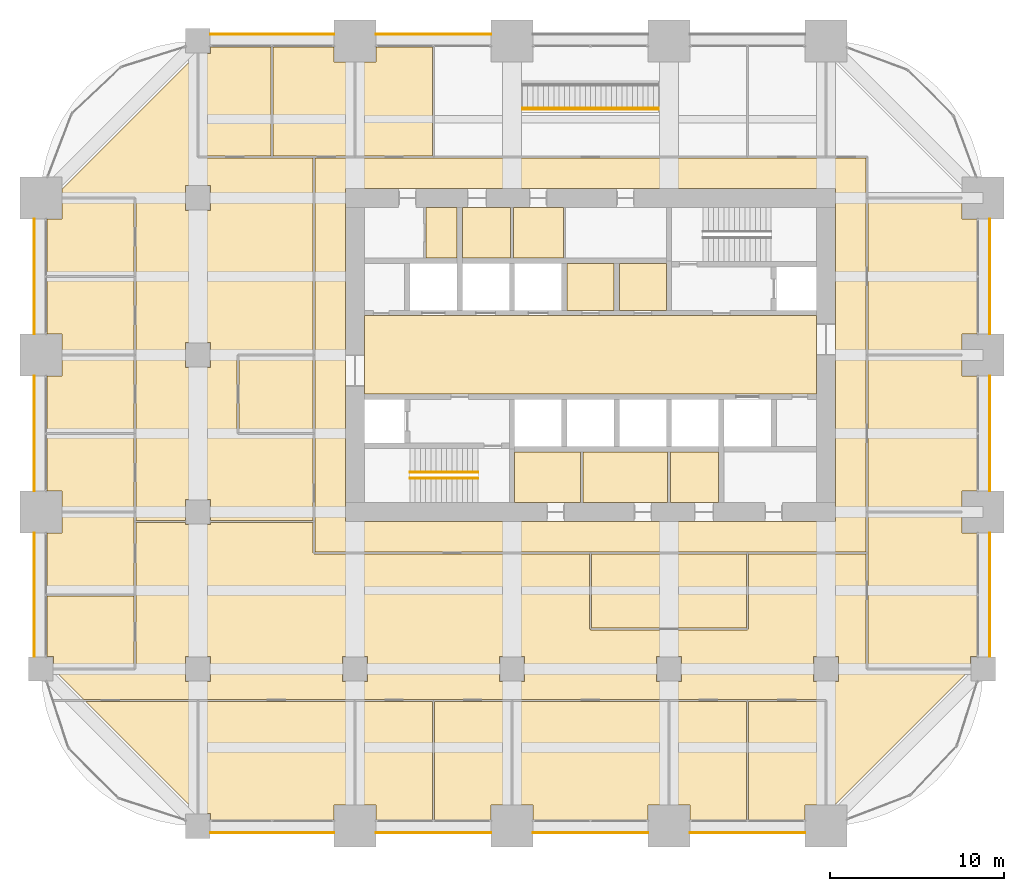
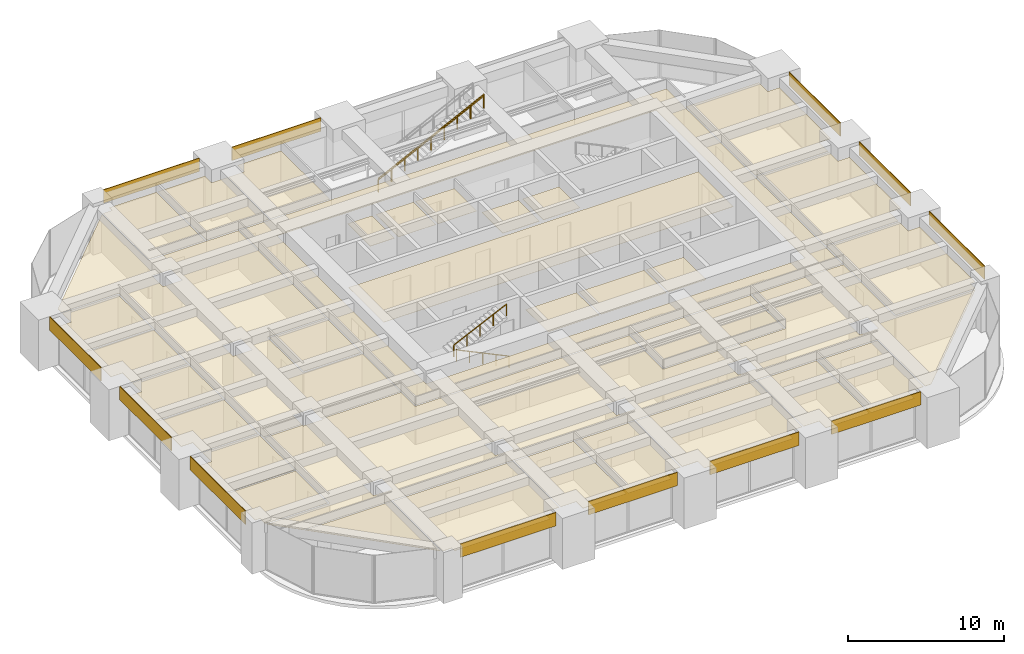
# One storey, part 33 of 34: 45 coverings, 4 railings.
"""IFC4 building model written with IfcOpenShell, lengths in metres."""

from ifc_helpers import new_model, si_unit, direction, frame, frame_2d, origin, origin_2d, place, context, subcontext, project, spatial, polyline, rectangle, circle, outline, extrude, material, layer, layer_set, type_object, element, save


model = new_model("IFC4")

# Units and contexts
model_context = context("Model", 3, precision=1e-05, world=origin(), true_north=direction((0.0, 1.0)))
body_context = subcontext(model_context, "Body", "Model", "MODEL_VIEW")
ifc_project = project(units=[si_unit("LENGTHUNIT", "METRE"), si_unit("AREAUNIT", "SQUARE_METRE"), si_unit("VOLUMEUNIT", "CUBIC_METRE"), si_unit("PLANEANGLEUNIT", "RADIAN"), si_unit("MASSUNIT", "GRAM", prefix="KILO")], contexts=[model_context])

# Site, building, storey
site_placement = place(None, origin())
site = spatial("IfcSite", under=ifc_project, at=site_placement, CompositionType="ELEMENT")
building_placement = place(site_placement, origin())
building = spatial("IfcBuilding", under=site, at=building_placement, Name="Zorevar Civic Tower", CompositionType="ELEMENT")
storey_placement = place(building_placement, frame((0.0, 0.0, 214.199951171875)))
storey = spatial("IfcBuildingStorey", under=building, at=storey_placement, Name="L52", CompositionType="ELEMENT", Elevation=214.199951171875)

# Railings
ifc_material_1 = material(Name="Laminated glass balustrade with black steel handrail", Category="steel")
railing_type_1 = type_object("IfcRailingType", Name="Balustrade BL1 1100", PredefinedType="BALUSTRADE", material=ifc_material_1)
railing_1_placement = place(storey_placement, frame((27.60009765625, 41.080078125, 0.148193359375)))
element("IfcRailing", 1, at=railing_1_placement, inside=storey, type_object=railing_type_1, Name="Balustrade BL1 interconnecting stair L52", PredefinedType="BALUSTRADE", context=body_context, shape_type="SweptSolid", body=[
    extrude(circle(Radius=0.02392578125, at=origin_2d()), frame((0.0, 0.0, 1.076171875), z_axis=(0.896627794226, 0.0, 0.442785047875), x_axis=(0.0, 1.0, 0.0)), (0.0, 0.0, 1.0), 8.698974609375),
    extrude(circle(Radius=0.02099609375, at=origin_2d()), origin(), (0.0, 0.0, 1.0), 1.052001953125),
    extrude(circle(Radius=0.02099609375, at=origin_2d()), frame((0.97509765625, 0.0, 0.4814453125)), (0.0, 0.0, 1.0), 1.052001953125),
    extrude(circle(Radius=0.02099609375, at=origin_2d()), frame((1.949951171875, 0.0, 0.962890625)), (0.0, 0.0, 1.0), 1.052001953125),
    extrude(circle(Radius=0.02099609375, at=origin_2d()), frame((2.9248046875, 0.0, 1.4443359375)), (0.0, 0.0, 1.0), 1.052001953125),
    extrude(circle(Radius=0.02099609375, at=origin_2d()), frame((3.89990234375, 0.0, 1.92578125)), (0.0, 0.0, 1.0), 1.052001953125),
    extrude(circle(Radius=0.02099609375, at=origin_2d()), frame((4.875, 0.0, 2.407470703125)), (0.0, 0.0, 1.0), 1.052001953125),
    extrude(circle(Radius=0.02099609375, at=origin_2d()), frame((5.849853515625, 0.0, 2.888916015625)), (0.0, 0.0, 1.0), 1.052001953125),
    extrude(circle(Radius=0.02099609375, at=origin_2d()), frame((6.82470703125, 0.0, 3.370361328125)), (0.0, 0.0, 1.0), 1.052001953125),
    extrude(circle(Radius=0.02099609375, at=origin_2d()), frame((7.7998046875, 0.0, 3.851806640625)), (0.0, 0.0, 1.0), 1.052001953125),
])
ifc_material_2 = material(Name="Black steel handrail", Category="steel")
railing_type_2 = type_object("IfcRailingType", Name="Handrail HR1 900", PredefinedType="HANDRAIL", material=ifc_material_2)
railing_2_placement = place(storey_placement, frame((25.050048828125, 19.925048828125, 0.142822265625)))
element("IfcRailing", 2, at=railing_2_placement, inside=storey, type_object=railing_type_2, Name="Handrail HR1 ST1 L52", PredefinedType="HANDRAIL", context=body_context, shape_type="SweptSolid", body=[
    extrude(circle(Radius=0.02392578125, at=origin_2d()), frame((0.0, 0.0, 0.8759765625), z_axis=(-0.902863652845, 0.0, 0.429926998885), x_axis=(0.0, -1.0, 0.0)), (0.0, 0.0, 1.0), 4.31982421875),
    extrude(circle(Radius=0.02099609375, at=origin_2d()), origin(), (0.0, 0.0, 1.0), 0.851806640625),
    extrude(circle(Radius=0.02099609375, at=origin_2d()), frame((-0.97509765625, 0.0, 0.46435546875)), (0.0, 0.0, 1.0), 0.851806640625),
    extrude(circle(Radius=0.02099609375, at=origin_2d()), frame((-1.9501953125, 0.0, 0.9287109375)), (0.0, 0.0, 1.0), 0.851806640625),
    extrude(circle(Radius=0.02099609375, at=origin_2d()), frame((-2.925048828125, 0.0, 1.392822265625)), (0.0, 0.0, 1.0), 0.851806640625),
    extrude(circle(Radius=0.02099609375, at=origin_2d()), frame((-3.900146484375, 0.0, 1.857177734375)), (0.0, 0.0, 1.0), 0.851806640625),
])
railing_3_placement = place(storey_placement, frame((21.14990234375, 20.27490234375, 2.142822265625)))
element("IfcRailing", 3, at=railing_3_placement, inside=storey, type_object=railing_type_2, Name="Handrail HR1 ST1 L52", PredefinedType="HANDRAIL", context=body_context, shape_type="SweptSolid", body=[
    extrude(circle(Radius=0.02392578125, at=origin_2d()), frame((0.0, 0.0, 0.8759765625), z_axis=(0.902863652845, 0.0, 0.429926998885), x_axis=(0.0, 1.0, 0.0)), (0.0, 0.0, 1.0), 4.31982421875),
    extrude(circle(Radius=0.02099609375, at=origin_2d()), origin(), (0.0, 0.0, 1.0), 0.851806640625),
    extrude(circle(Radius=0.02099609375, at=origin_2d()), frame((0.97509765625, 0.0, 0.46435546875)), (0.0, 0.0, 1.0), 0.851806640625),
    extrude(circle(Radius=0.02099609375, at=origin_2d()), frame((1.9501953125, 0.0, 0.9287109375)), (0.0, 0.0, 1.0), 0.851806640625),
    extrude(circle(Radius=0.02099609375, at=origin_2d()), frame((2.925048828125, 0.0, 1.392822265625)), (0.0, 0.0, 1.0), 0.851806640625),
    extrude(circle(Radius=0.02099609375, at=origin_2d()), frame((3.900146484375, 0.0, 1.857177734375)), (0.0, 0.0, 1.0), 0.851806640625),
])
railing_4_placement = place(storey_placement, frame((27.60009765625, 41.14990234375, 0.148193359375)))
element("IfcRailing", 4, at=railing_4_placement, inside=storey, type_object=railing_type_2, Name="Handrail HR1 interconnecting stair L52", PredefinedType="HANDRAIL", context=body_context, shape_type="SweptSolid", body=[
    extrude(circle(Radius=0.02392578125, at=origin_2d()), frame((0.0, 0.0, 0.8759765625), z_axis=(0.896627794226, 0.0, 0.442785047875), x_axis=(0.0, 1.0, 0.0)), (0.0, 0.0, 1.0), 8.698974609375),
    extrude(circle(Radius=0.02099609375, at=origin_2d()), origin(), (0.0, 0.0, 1.0), 0.851806640625),
    extrude(circle(Radius=0.02099609375, at=origin_2d()), frame((0.97509765625, 0.0, 0.4814453125)), (0.0, 0.0, 1.0), 0.851806640625),
    extrude(circle(Radius=0.02099609375, at=origin_2d()), frame((1.949951171875, 0.0, 0.962890625)), (0.0, 0.0, 1.0), 0.851806640625),
    extrude(circle(Radius=0.02099609375, at=origin_2d()), frame((2.9248046875, 0.0, 1.4443359375)), (0.0, 0.0, 1.0), 0.851806640625),
    extrude(circle(Radius=0.02099609375, at=origin_2d()), frame((3.89990234375, 0.0, 1.92578125)), (0.0, 0.0, 1.0), 0.851806640625),
    extrude(circle(Radius=0.02099609375, at=origin_2d()), frame((4.875, 0.0, 2.407470703125)), (0.0, 0.0, 1.0), 0.851806640625),
    extrude(circle(Radius=0.02099609375, at=origin_2d()), frame((5.849853515625, 0.0, 2.888916015625)), (0.0, 0.0, 1.0), 0.851806640625),
    extrude(circle(Radius=0.02099609375, at=origin_2d()), frame((6.82470703125, 0.0, 3.370361328125)), (0.0, 0.0, 1.0), 0.851806640625),
    extrude(circle(Radius=0.02099609375, at=origin_2d()), frame((7.7998046875, 0.0, 3.851806640625)), (0.0, 0.0, 1.0), 0.851806640625),
])

# Coverings
ifc_material_3 = material(Name="Moisture-resistant gypsum board")
ifc_layer_1 = layer(ifc_material_3, 0.012451171875)
ifc_layer_set_1 = layer_set([ifc_layer_1], Name="Moisture-resistant ceiling SC3")
covering_type_1 = type_object("IfcCoveringType", Name="Moisture-resistant ceiling SC3", PredefinedType="CEILING", material=ifc_layer_set_1)
covering_1_placement = place(storey_placement, frame((0.0, 0.0, 3.0)))
element("IfcCovering", 5, at=covering_1_placement, inside=storey, type_object=covering_type_1, Name="Ceiling L52-05", PredefinedType="CEILING", context=body_context, shape_type="SweptSolid", body=[
    extrude(outline(polyline([(30.925048828125, 18.550048828125), (30.925048828125, 21.449951171875), (27.14990234375, 21.449951171875), (27.14990234375, 18.550048828125), (30.925048828125, 18.550048828125)])), origin(), (0.0, 0.0, 1.0), 0.012451171875),
])
covering_2_placement = place(storey_placement, frame((0.0, 0.0, 3.0)))
element("IfcCovering", 6, at=covering_2_placement, inside=storey, type_object=covering_type_1, Name="Ceiling L52-06", PredefinedType="CEILING", context=body_context, shape_type="SweptSolid", body=[
    extrude(outline(polyline([(35.925048828125, 18.550048828125), (35.925048828125, 21.449951171875), (31.074951171875, 21.449951171875), (31.074951171875, 18.550048828125), (35.925048828125, 18.550048828125)])), origin(), (0.0, 0.0, 1.0), 0.012451171875),
])
covering_3_placement = place(storey_placement, frame((0.0, 0.0, 3.0)))
element("IfcCovering", 7, at=covering_3_placement, inside=storey, type_object=covering_type_1, Name="Ceiling L52-07", PredefinedType="CEILING", context=body_context, shape_type="SweptSolid", body=[
    extrude(outline(polyline([(38.85009765625, 18.550048828125), (38.85009765625, 21.449951171875), (36.074951171875, 21.449951171875), (36.074951171875, 18.550048828125), (38.85009765625, 18.550048828125)])), origin(), (0.0, 0.0, 1.0), 0.012451171875),
])
covering_4_placement = place(storey_placement, frame((0.0, 0.0, 3.0)))
element("IfcCovering", 8, at=covering_4_placement, inside=storey, type_object=covering_type_1, Name="Ceiling L52-10", PredefinedType="CEILING", context=body_context, shape_type="SweptSolid", body=[
    extrude(outline(polyline([(26.925048828125, 32.550048828125), (26.925048828125, 35.449951171875), (24.14990234375, 35.449951171875), (24.14990234375, 32.550048828125), (26.925048828125, 32.550048828125)])), origin(), (0.0, 0.0, 1.0), 0.012451171875),
])
ifc_material_4 = material(Name="Black anodised aluminium spandrel panel", Category="aluminium")
ifc_layer_2 = layer(ifc_material_4, 0.050048828125)
ifc_layer_set_2 = layer_set([ifc_layer_2], Name="Spandrel cladding SP1")
covering_type_2 = type_object("IfcCoveringType", Name="Spandrel cladding SP1", PredefinedType="CLADDING", material=ifc_layer_set_2)
covering_5_placement = place(storey_placement, frame((9.699951171875, -0.375, 2.949951171875), z_axis=(0.0, 0.0, 1.0), x_axis=(1.0, 0.0, 0.0)))
element("IfcCovering", 9, at=covering_5_placement, inside=storey, type_object=covering_type_2, Name="Spandrel cladding L53", PredefinedType="CLADDING", context=body_context, shape_type="SweptSolid", body=[
    extrude(rectangle(XDim=7.10009765625, YDim=0.050048828125, at=frame_2d((3.550048828125, 0.0))), origin(), (0.0, 0.0, 1.0), 1.050048828125),
])
for number, where, z_axis, x_axis, name in (
    (10, (19.199951171875, -0.375, 2.949951171875), (0.0, 0.0, 1.0), (1.0, 0.0, 0.0), "Spandrel cladding L53"),
    (11, (28.199951171875, -0.375, 2.949951171875), (0.0, 0.0, 1.0), (1.0, 0.0, 0.0), "Spandrel cladding L53"),
    (12, (37.199951171875, -0.375, 2.949951171875), (0.0, 0.0, 1.0), (1.0, 0.0, 0.0), "Spandrel cladding L53"),
):
    element("IfcCovering", number, at=place(storey_placement, frame(where, z_axis=z_axis, x_axis=x_axis)), inside=storey, type_object=covering_type_2, Name=name, PredefinedType="CLADDING", context=body_context, shape_type="SweptSolid", body=[
        extrude(rectangle(XDim=6.60009765625, YDim=0.050048828125, at=frame_2d((3.300048828125, 0.0))), origin(), (0.0, 0.0, 1.0), 1.050048828125),
    ])
covering_6_placement = place(storey_placement, frame((9.699951171875, 45.375, 2.949951171875), z_axis=(0.0, 0.0, 1.0), x_axis=(1.0, 0.0, 0.0)))
element("IfcCovering", 13, at=covering_6_placement, inside=storey, type_object=covering_type_2, Name="Spandrel cladding L53", PredefinedType="CLADDING", context=body_context, shape_type="SweptSolid", body=[
    extrude(rectangle(XDim=7.10009765625, YDim=0.050048828125, at=frame_2d((3.550048828125, 0.0))), origin(), (0.0, 0.0, 1.0), 1.050048828125),
])
covering_7_placement = place(storey_placement, frame((19.199951171875, 45.375, 2.949951171875), z_axis=(0.0, 0.0, 1.0), x_axis=(1.0, 0.0, 0.0)))
element("IfcCovering", 14, at=covering_7_placement, inside=storey, type_object=covering_type_2, Name="Spandrel cladding L53", PredefinedType="CLADDING", context=body_context, shape_type="SweptSolid", body=[
    extrude(rectangle(XDim=6.60009765625, YDim=0.050048828125, at=frame_2d((3.300048828125, 0.0))), origin(), (0.0, 0.0, 1.0), 1.050048828125),
])
covering_8_placement = place(storey_placement, frame((-0.375, 9.699951171875, 2.949951171875), z_axis=(0.0, 0.0, 1.0), x_axis=(0.0, 1.0, 0.0)))
element("IfcCovering", 15, at=covering_8_placement, inside=storey, type_object=covering_type_2, Name="Spandrel cladding L53", PredefinedType="CLADDING", context=body_context, shape_type="SweptSolid", body=[
    extrude(rectangle(XDim=7.10009765625, YDim=0.050048828125, at=frame_2d((3.550048828125, 0.0))), origin(), (0.0, 0.0, 1.0), 1.050048828125),
])
for number, where, z_axis, x_axis, name in (
    (16, (-0.375, 19.199951171875, 2.949951171875), (0.0, 0.0, 1.0), (0.0, 1.0, 0.0), "Spandrel cladding L53"),
    (17, (-0.375, 28.199951171875, 2.949951171875), (0.0, 0.0, 1.0), (0.0, 1.0, 0.0), "Spandrel cladding L53"),
):
    element("IfcCovering", number, at=place(storey_placement, frame(where, z_axis=z_axis, x_axis=x_axis)), inside=storey, type_object=covering_type_2, Name=name, PredefinedType="CLADDING", context=body_context, shape_type="SweptSolid", body=[
        extrude(rectangle(XDim=6.60009765625, YDim=0.050048828125, at=frame_2d((3.300048828125, 0.0))), origin(), (0.0, 0.0, 1.0), 1.050048828125),
    ])
covering_9_placement = place(storey_placement, frame((54.375, 9.699951171875, 2.949951171875), z_axis=(0.0, 0.0, 1.0), x_axis=(0.0, 1.0, 0.0)))
element("IfcCovering", 18, at=covering_9_placement, inside=storey, type_object=covering_type_2, Name="Spandrel cladding L53", PredefinedType="CLADDING", context=body_context, shape_type="SweptSolid", body=[
    extrude(rectangle(XDim=7.10009765625, YDim=0.050048828125, at=frame_2d((3.550048828125, 0.0))), origin(), (0.0, 0.0, 1.0), 1.050048828125),
])
for number, where, z_axis, x_axis, name in (
    (19, (54.375, 19.199951171875, 2.949951171875), (0.0, 0.0, 1.0), (0.0, 1.0, 0.0), "Spandrel cladding L53"),
    (20, (54.375, 28.199951171875, 2.949951171875), (0.0, 0.0, 1.0), (0.0, 1.0, 0.0), "Spandrel cladding L53"),
):
    element("IfcCovering", number, at=place(storey_placement, frame(where, z_axis=z_axis, x_axis=x_axis)), inside=storey, type_object=covering_type_2, Name=name, PredefinedType="CLADDING", context=body_context, shape_type="SweptSolid", body=[
        extrude(rectangle(XDim=6.60009765625, YDim=0.050048828125, at=frame_2d((3.300048828125, 0.0))), origin(), (0.0, 0.0, 1.0), 1.050048828125),
    ])
ifc_material_5 = material(Name="Mineral fibre tiles on a concealed grid")
ifc_layer_3 = layer(ifc_material_5, 0.02001953125)
ifc_layer_set_3 = layer_set([ifc_layer_3], Name="Suspended ceiling SC1")
covering_type_3 = type_object("IfcCoveringType", Name="Suspended ceiling SC1", PredefinedType="CEILING", material=ifc_layer_set_3)
covering_10_placement = place(storey_placement, frame((0.0, 0.0, 3.0)))
element("IfcCovering", 21, at=covering_10_placement, inside=storey, type_object=covering_type_3, Name="Ceiling L52-09", PredefinedType="CEILING", context=body_context, shape_type="SweptSolid", body=[
    extrude(outline(polyline([(29.93994140625, 32.550048828125), (29.93994140625, 35.449951171875), (27.074951171875, 35.449951171875), (27.074951171875, 32.550048828125), (29.93994140625, 32.550048828125)])), origin(), (0.0, 0.0, 1.0), 0.02001953125),
])
covering_11_placement = place(storey_placement, frame((0.0, 0.0, 3.0)))
element("IfcCovering", 22, at=covering_11_placement, inside=storey, type_object=covering_type_3, Name="Ceiling L52-12", PredefinedType="CEILING", context=body_context, shape_type="SweptSolid", body=[
    extrude(outline(polyline([(23.85009765625, 32.550048828125), (23.85009765625, 35.449951171875), (22.06005859375, 35.449951171875), (22.06005859375, 32.550048828125), (23.85009765625, 32.550048828125)])), origin(), (0.0, 0.0, 1.0), 0.02001953125),
])
covering_12_placement = place(storey_placement, frame((0.0, 0.0, 3.0)))
element("IfcCovering", 23, at=covering_12_placement, inside=storey, type_object=covering_type_3, Name="Ceiling L52-16", PredefinedType="CEILING", context=body_context, shape_type="SweptSolid", body=[
    extrude(outline(polyline([(44.449951171875, 24.75), (44.449951171875, 29.25), (18.550048828125, 29.25), (18.550048828125, 24.75), (44.449951171875, 24.75)])), origin(), (0.0, 0.0, 1.0), 0.02001953125),
])
covering_13_placement = place(storey_placement, frame((0.0, 0.0, 3.0)))
element("IfcCovering", 24, at=covering_13_placement, inside=storey, type_object=covering_type_3, Name="Ceiling L52-17", PredefinedType="CEILING", context=body_context, shape_type="SweptSolid", body=[
    extrude(outline(polyline([(35.85009765625, 29.550048828125), (35.85009765625, 32.25), (33.14990234375, 32.25), (33.14990234375, 29.550048828125), (35.85009765625, 29.550048828125)])), origin(), (0.0, 0.0, 1.0), 0.02001953125),
])
covering_14_placement = place(storey_placement, frame((0.0, 0.0, 3.0)))
element("IfcCovering", 25, at=covering_14_placement, inside=storey, type_object=covering_type_3, Name="Ceiling L52-18", PredefinedType="CEILING", context=body_context, shape_type="SweptSolid", body=[
    extrude(outline(polyline([(32.85009765625, 29.550048828125), (32.85009765625, 32.25), (30.14990234375, 32.25), (30.14990234375, 29.550048828125), (32.85009765625, 29.550048828125)])), origin(), (0.0, 0.0, 1.0), 0.02001953125),
])
covering_15_placement = place(storey_placement, frame((0.0, 0.0, 3.0)))
element("IfcCovering", 26, at=covering_15_placement, inside=storey, type_object=covering_type_3, Name="Ceiling L52-19", PredefinedType="CEILING", context=body_context, shape_type="SweptSolid", body=[
    extrude(outline(polyline([(9.7099609375, 0.35009765625), (9.7099609375, 0.7099609375), (9.06005859375, 0.7099609375), (9.06005859375, 7.139892578125), (17.93994140625, 7.139892578125), (17.93994140625, 1.2099609375), (16.7900390625, 1.2099609375), (16.7900390625, 0.35009765625), (9.7099609375, 0.35009765625)])), origin(), (0.0, 0.0, 1.0), 0.02001953125),
])
covering_16_placement = place(storey_placement, frame((0.0, 0.0, 3.0)))
element("IfcCovering", 27, at=covering_16_placement, inside=storey, type_object=covering_type_3, Name="Ceiling L52-20", PredefinedType="CEILING", context=body_context, shape_type="SweptSolid", body=[
    extrude(outline(polyline([(22.43994140625, 7.139892578125), (22.43994140625, 0.35009765625), (19.2099609375, 0.35009765625), (19.2099609375, 1.2099609375), (18.06005859375, 1.2099609375), (18.06005859375, 7.139892578125), (22.43994140625, 7.139892578125)])), origin(), (0.0, 0.0, 1.0), 0.02001953125),
])
covering_17_placement = place(storey_placement, frame((0.0, 0.0, 3.0)))
element("IfcCovering", 28, at=covering_17_placement, inside=storey, type_object=covering_type_3, Name="Ceiling L52-21", PredefinedType="CEILING", context=body_context, shape_type="SweptSolid", body=[
    extrude(outline(polyline([(26.93994140625, 7.139892578125), (26.93994140625, 1.2099609375), (25.7900390625, 1.2099609375), (25.7900390625, 0.35009765625), (22.56005859375, 0.35009765625), (22.56005859375, 7.139892578125), (26.93994140625, 7.139892578125)])), origin(), (0.0, 0.0, 1.0), 0.02001953125),
])
covering_18_placement = place(storey_placement, frame((0.0, 0.0, 3.0)))
element("IfcCovering", 29, at=covering_18_placement, inside=storey, type_object=covering_type_3, Name="Ceiling L52-22", PredefinedType="CEILING", context=body_context, shape_type="SweptSolid", body=[
    extrude(outline(polyline([(28.2099609375, 0.35009765625), (28.2099609375, 1.2099609375), (27.06005859375, 1.2099609375), (27.06005859375, 7.139892578125), (35.93994140625, 7.139892578125), (35.93994140625, 1.2099609375), (34.7900390625, 1.2099609375), (34.7900390625, 0.35009765625), (28.2099609375, 0.35009765625)])), origin(), (0.0, 0.0, 1.0), 0.02001953125),
])
covering_19_placement = place(storey_placement, frame((0.0, 0.0, 3.0)))
element("IfcCovering", 30, at=covering_19_placement, inside=storey, type_object=covering_type_3, Name="Ceiling L52-23", PredefinedType="CEILING", context=body_context, shape_type="SweptSolid", body=[
    extrude(outline(polyline([(40.43994140625, 7.139892578125), (40.43994140625, 0.35009765625), (37.2099609375, 0.35009765625), (37.2099609375, 1.2099609375), (36.06005859375, 1.2099609375), (36.06005859375, 7.139892578125), (40.43994140625, 7.139892578125)])), origin(), (0.0, 0.0, 1.0), 0.02001953125),
])
covering_20_placement = place(storey_placement, frame((0.0, 0.0, 3.0)))
element("IfcCovering", 31, at=covering_20_placement, inside=storey, type_object=covering_type_3, Name="Ceiling L52-24", PredefinedType="CEILING", context=body_context, shape_type="SweptSolid", body=[
    extrude(outline(polyline([(44.93994140625, 7.139892578125), (44.93994140625, 1.2099609375), (43.7900390625, 1.2099609375), (43.7900390625, 0.35009765625), (40.56005859375, 0.35009765625), (40.56005859375, 7.139892578125), (44.93994140625, 7.139892578125)])), origin(), (0.0, 0.0, 1.0), 0.02001953125),
])
covering_21_placement = place(storey_placement, frame((0.0, 0.0, 3.0)))
element("IfcCovering", 32, at=covering_21_placement, inside=storey, type_object=covering_type_3, Name="Ceiling L52-25", PredefinedType="CEILING", context=body_context, shape_type="SweptSolid", body=[
    extrude(outline(polyline([(9.06005859375, 38.409912109375), (9.06005859375, 44.2900390625), (9.7099609375, 44.2900390625), (9.7099609375, 44.64990234375), (13.18994140625, 44.64990234375), (13.18994140625, 38.409912109375), (9.06005859375, 38.409912109375)])), origin(), (0.0, 0.0, 1.0), 0.02001953125),
])
covering_22_placement = place(storey_placement, frame((0.0, 0.0, 3.0)))
element("IfcCovering", 33, at=covering_22_placement, inside=storey, type_object=covering_type_3, Name="Ceiling L52-26", PredefinedType="CEILING", context=body_context, shape_type="SweptSolid", body=[
    extrude(outline(polyline([(13.31005859375, 38.409912109375), (13.31005859375, 44.64990234375), (16.7900390625, 44.64990234375), (16.7900390625, 43.7900390625), (17.93994140625, 43.7900390625), (17.93994140625, 38.409912109375), (13.31005859375, 38.409912109375)])), origin(), (0.0, 0.0, 1.0), 0.02001953125),
])
covering_23_placement = place(storey_placement, frame((0.0, 0.0, 3.0)))
element("IfcCovering", 34, at=covering_23_placement, inside=storey, type_object=covering_type_3, Name="Ceiling L52-27", PredefinedType="CEILING", context=body_context, shape_type="SweptSolid", body=[
    extrude(outline(polyline([(18.06005859375, 38.409912109375), (18.06005859375, 43.7900390625), (19.2099609375, 43.7900390625), (19.2099609375, 44.64990234375), (22.43994140625, 44.64990234375), (22.43994140625, 38.409912109375), (18.06005859375, 38.409912109375)])), origin(), (0.0, 0.0, 1.0), 0.02001953125),
])
covering_24_placement = place(storey_placement, frame((0.0, 0.0, 3.0)))
element("IfcCovering", 35, at=covering_24_placement, inside=storey, type_object=covering_type_3, Name="Ceiling L52-29", PredefinedType="CEILING", context=body_context, shape_type="SweptSolid", body=[
    extrude(outline(polyline([(53.64990234375, 9.7099609375), (53.2900390625, 9.7099609375), (53.2900390625, 9.06005859375), (47.409912109375, 9.06005859375), (47.409912109375, 17.93994140625), (52.7900390625, 17.93994140625), (52.7900390625, 16.7900390625), (53.64990234375, 16.7900390625), (53.64990234375, 9.7099609375)])), origin(), (0.0, 0.0, 1.0), 0.02001953125),
])
covering_25_placement = place(storey_placement, frame((0.0, 0.0, 3.0)))
element("IfcCovering", 36, at=covering_25_placement, inside=storey, type_object=covering_type_3, Name="Ceiling L52-30", PredefinedType="CEILING", context=body_context, shape_type="SweptSolid", body=[
    extrude(outline(polyline([(53.64990234375, 19.2099609375), (52.7900390625, 19.2099609375), (52.7900390625, 18.06005859375), (47.409912109375, 18.06005859375), (47.409912109375, 26.93994140625), (52.7900390625, 26.93994140625), (52.7900390625, 25.7900390625), (53.64990234375, 25.7900390625), (53.64990234375, 19.2099609375)])), origin(), (0.0, 0.0, 1.0), 0.02001953125),
])
covering_26_placement = place(storey_placement, frame((0.0, 0.0, 3.0)))
element("IfcCovering", 37, at=covering_26_placement, inside=storey, type_object=covering_type_3, Name="Ceiling L52-31", PredefinedType="CEILING", context=body_context, shape_type="SweptSolid", body=[
    extrude(outline(polyline([(53.64990234375, 28.2099609375), (52.7900390625, 28.2099609375), (52.7900390625, 27.06005859375), (47.409912109375, 27.06005859375), (47.409912109375, 35.93994140625), (52.7900390625, 35.93994140625), (52.7900390625, 34.7900390625), (53.64990234375, 34.7900390625), (53.64990234375, 28.2099609375)])), origin(), (0.0, 0.0, 1.0), 0.02001953125),
])
covering_27_placement = place(storey_placement, frame((0.0, 0.0, 3.0)))
element("IfcCovering", 38, at=covering_27_placement, inside=storey, type_object=covering_type_3, Name="Ceiling L52-32", PredefinedType="CEILING", context=body_context, shape_type="SweptSolid", body=[
    extrude(outline(polyline([(5.340087890625, 9.06005859375), (0.7099609375, 9.06005859375), (0.7099609375, 9.7099609375), (0.35009765625, 9.7099609375), (0.35009765625, 13.18994140625), (5.340087890625, 13.18994140625), (5.340087890625, 9.06005859375)])), origin(), (0.0, 0.0, 1.0), 0.02001953125),
])
covering_28_placement = place(storey_placement, frame((0.0, 0.0, 3.0)))
element("IfcCovering", 39, at=covering_28_placement, inside=storey, type_object=covering_type_3, Name="Ceiling L52-33", PredefinedType="CEILING", context=body_context, shape_type="SweptSolid", body=[
    extrude(outline(polyline([(5.340087890625, 13.31005859375), (0.35009765625, 13.31005859375), (0.35009765625, 16.7900390625), (1.2099609375, 16.7900390625), (1.2099609375, 17.93994140625), (5.340087890625, 17.93994140625), (5.340087890625, 13.31005859375)])), origin(), (0.0, 0.0, 1.0), 0.02001953125),
])
covering_29_placement = place(storey_placement, frame((0.0, 0.0, 3.0)))
element("IfcCovering", 40, at=covering_29_placement, inside=storey, type_object=covering_type_3, Name="Ceiling L52-34", PredefinedType="CEILING", context=body_context, shape_type="SweptSolid", body=[
    extrude(outline(polyline([(5.340087890625, 18.06005859375), (1.2099609375, 18.06005859375), (1.2099609375, 19.2099609375), (0.35009765625, 19.2099609375), (0.35009765625, 22.43994140625), (5.340087890625, 22.43994140625), (5.340087890625, 18.06005859375)])), origin(), (0.0, 0.0, 1.0), 0.02001953125),
])
covering_30_placement = place(storey_placement, frame((0.0, 0.0, 3.0)))
element("IfcCovering", 41, at=covering_30_placement, inside=storey, type_object=covering_type_3, Name="Ceiling L52-35", PredefinedType="CEILING", context=body_context, shape_type="SweptSolid", body=[
    extrude(outline(polyline([(5.340087890625, 22.56005859375), (0.35009765625, 22.56005859375), (0.35009765625, 25.7900390625), (1.2099609375, 25.7900390625), (1.2099609375, 26.93994140625), (5.340087890625, 26.93994140625), (5.340087890625, 22.56005859375)])), origin(), (0.0, 0.0, 1.0), 0.02001953125),
])
covering_31_placement = place(storey_placement, frame((0.0, 0.0, 3.0)))
element("IfcCovering", 42, at=covering_31_placement, inside=storey, type_object=covering_type_3, Name="Ceiling L52-36", PredefinedType="CEILING", context=body_context, shape_type="SweptSolid", body=[
    extrude(outline(polyline([(5.340087890625, 27.06005859375), (1.2099609375, 27.06005859375), (1.2099609375, 28.2099609375), (0.35009765625, 28.2099609375), (0.35009765625, 31.43994140625), (5.340087890625, 31.43994140625), (5.340087890625, 27.06005859375)])), origin(), (0.0, 0.0, 1.0), 0.02001953125),
])
covering_32_placement = place(storey_placement, frame((0.0, 0.0, 3.0)))
element("IfcCovering", 43, at=covering_32_placement, inside=storey, type_object=covering_type_3, Name="Ceiling L52-37", PredefinedType="CEILING", context=body_context, shape_type="SweptSolid", body=[
    extrude(outline(polyline([(5.340087890625, 31.56005859375), (0.35009765625, 31.56005859375), (0.35009765625, 34.7900390625), (1.2099609375, 34.7900390625), (1.2099609375, 35.93994140625), (5.340087890625, 35.93994140625), (5.340087890625, 31.56005859375)])), origin(), (0.0, 0.0, 1.0), 0.02001953125),
])
covering_33_placement = place(storey_placement, frame((0.0, 0.0, 3.0)))
element("IfcCovering", 44, at=covering_33_placement, inside=storey, type_object=covering_type_3, Name="Ceiling L52-38", PredefinedType="CEILING", context=body_context, shape_type="SweptSolid", body=[
    extrude(outline(polyline([(31.56005859375, 15.590087890625), (40.43994140625, 15.590087890625), (40.43994140625, 11.35009765625), (31.56005859375, 11.35009765625), (31.56005859375, 15.590087890625)])), origin(), (0.0, 0.0, 1.0), 0.02001953125),
])
covering_34_placement = place(storey_placement, frame((0.0, 0.0, 3.0)))
element("IfcCovering", 45, at=covering_34_placement, inside=storey, type_object=covering_type_3, Name="Ceiling L52-39", PredefinedType="CEILING", context=body_context, shape_type="SweptSolid", body=[
    extrude(outline(polyline([(11.360107421875, 26.93994140625), (15.590087890625, 26.93994140625), (15.590087890625, 22.56005859375), (11.360107421875, 22.56005859375), (11.360107421875, 26.93994140625)])), origin(), (0.0, 0.0, 1.0), 0.02001953125),
])
covering_35_placement = place(storey_placement, frame((0.0, 0.0, 3.0)))
element("IfcCovering", 46, at=covering_35_placement, inside=storey, type_object=covering_type_3, Name="Ceiling L52-40", PredefinedType="CEILING", context=body_context, shape_type="SweptSolid", body=[
    extrude(outline(polyline([(8.93994140625, 7.14990234375), (8.93994140625, 0.76708984375), (2.55712890625, 7.14990234375), (8.93994140625, 7.14990234375)])), origin(), (0.0, 0.0, 1.0), 0.02001953125),
])
covering_36_placement = place(storey_placement, frame((0.0, 0.0, 3.0)))
element("IfcCovering", 47, at=covering_36_placement, inside=storey, type_object=covering_type_3, Name="Ceiling L52-41", PredefinedType="CEILING", context=body_context, shape_type="SweptSolid", body=[
    extrude(outline(polyline([(22.5, 38.300048828125), (40.5, 38.300048828125), (40.5, 38.2900390625), (45.0, 38.2900390625), (45.0, 38.300048828125), (47.300048828125, 38.300048828125), (47.300048828125, 36.0), (47.2900390625, 36.0), (47.2900390625, 15.699951171875), (40.5, 15.699951171875), (40.5, 15.7099609375), (31.5, 15.7099609375), (31.5, 15.699951171875), (15.699951171875, 15.699951171875), (15.699951171875, 22.5), (15.7099609375, 22.5), (15.7099609375, 27.0), (15.699951171875, 27.0), (15.699951171875, 38.2900390625), (22.5, 38.2900390625), (22.5, 38.300048828125)]), holes=[polyline([(45.550048828125, 17.449951171875), (45.550048828125, 36.550048828125), (17.449951171875, 36.550048828125), (17.449951171875, 17.449951171875), (45.550048828125, 17.449951171875)])]), origin(), (0.0, 0.0, 1.0), 0.02001953125),
])
covering_37_placement = place(storey_placement, frame((0.0, 0.0, 3.0)))
element("IfcCovering", 48, at=covering_37_placement, inside=storey, type_object=covering_type_3, Name="Ceiling L52-44", PredefinedType="CEILING", context=body_context, shape_type="SweptSolid", body=[
    extrude(outline(polyline([(40.56005859375, 11.300048828125), (40.56005859375, 15.60009765625), (47.2900390625, 15.60009765625), (47.2900390625, 9.0), (47.35009765625, 9.0), (47.35009765625, 8.93994140625), (53.23291015625, 8.93994140625), (45.5029296875, 1.2099609375), (45.06005859375, 1.2099609375), (45.06005859375, 7.199951171875), (45.0, 7.199951171875), (45.0, 7.260009765625), (9.0, 7.260009765625), (9.0, 7.25), (2.45703125, 7.25), (0.76708984375, 8.93994140625), (5.39990234375, 8.93994140625), (5.39990234375, 9.0), (5.4599609375, 9.0), (5.4599609375, 17.39990234375), (8.2900390625, 17.39990234375), (8.2900390625, 17.2900390625), (9.7099609375, 17.2900390625), (9.7099609375, 17.39990234375), (15.60009765625, 17.39990234375), (15.60009765625, 15.64990234375), (15.64990234375, 15.64990234375), (15.64990234375, 15.60009765625), (31.43994140625, 15.60009765625), (31.43994140625, 11.300048828125), (31.5, 11.300048828125), (31.5, 11.25), (40.5, 11.25), (40.5, 11.300048828125), (40.56005859375, 11.300048828125)]), holes=[polyline([(8.2900390625, 9.7099609375), (8.2900390625, 8.2900390625), (9.7099609375, 8.2900390625), (9.7099609375, 9.7099609375), (8.2900390625, 9.7099609375)]), polyline([(18.7099609375, 8.2900390625), (18.7099609375, 9.7099609375), (17.2900390625, 9.7099609375), (17.2900390625, 8.2900390625), (18.7099609375, 8.2900390625)]), polyline([(26.2900390625, 8.2900390625), (27.7099609375, 8.2900390625), (27.7099609375, 9.7099609375), (26.2900390625, 9.7099609375), (26.2900390625, 8.2900390625)]), polyline([(35.2900390625, 9.7099609375), (35.2900390625, 8.2900390625), (36.7099609375, 8.2900390625), (36.7099609375, 9.7099609375), (35.2900390625, 9.7099609375)]), polyline([(45.7099609375, 8.2900390625), (45.7099609375, 9.7099609375), (44.2900390625, 9.7099609375), (44.2900390625, 8.2900390625), (45.7099609375, 8.2900390625)])]), origin(), (0.0, 0.0, 1.0), 0.02001953125),
])
covering_38_placement = place(storey_placement, frame((0.0, 0.0, 3.0)))
element("IfcCovering", 49, at=covering_38_placement, inside=storey, type_object=covering_type_3, Name="Ceiling L52-45", PredefinedType="CEILING", context=body_context, shape_type="SweptSolid", body=[
    extrude(outline(polyline([(8.93994140625, 38.35107421875), (9.0, 38.35009765625), (9.000244140625, 38.290283203125), (15.60009765625, 38.2900390625), (15.59912109375, 27.06103515625), (11.300048828125, 27.06103515625), (11.299072265625, 27.0009765625), (11.239013671875, 27.0), (11.2392578125, 22.499267578125), (11.299072265625, 22.4990234375), (11.300048828125, 22.43896484375), (15.59912109375, 22.43896484375), (15.59912109375, 17.5009765625), (9.7099609375, 17.5009765625), (9.7099609375, 18.7099609375), (8.2900390625, 18.7099609375), (8.2900390625, 17.5009765625), (5.4609375, 17.5009765625), (5.4609375, 36.000244140625), (5.40087890625, 36.0009765625), (5.39990234375, 36.06103515625), (1.2099609375, 36.06103515625), (1.2099609375, 36.5029296875), (8.93994140625, 44.23291015625), (8.93994140625, 38.35107421875)]), holes=[polyline([(9.7099609375, 26.2900390625), (9.7099609375, 27.7099609375), (8.2900390625, 27.7099609375), (8.2900390625, 26.2900390625), (9.7099609375, 26.2900390625)]), polyline([(8.2900390625, 35.2900390625), (9.7099609375, 35.2900390625), (9.7099609375, 36.7099609375), (8.2900390625, 36.7099609375), (8.2900390625, 35.2900390625)])]), origin(), (0.0, 0.0, 1.0), 0.02001953125),
])

save(model, "model.ifc")
